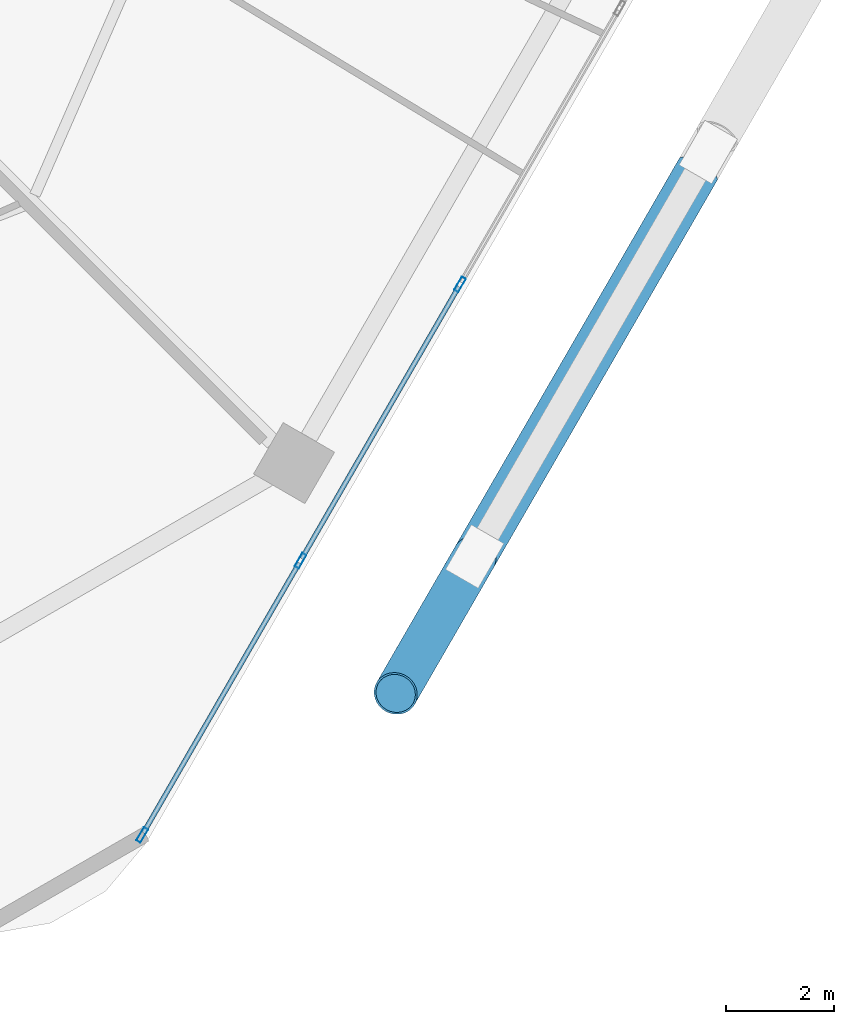
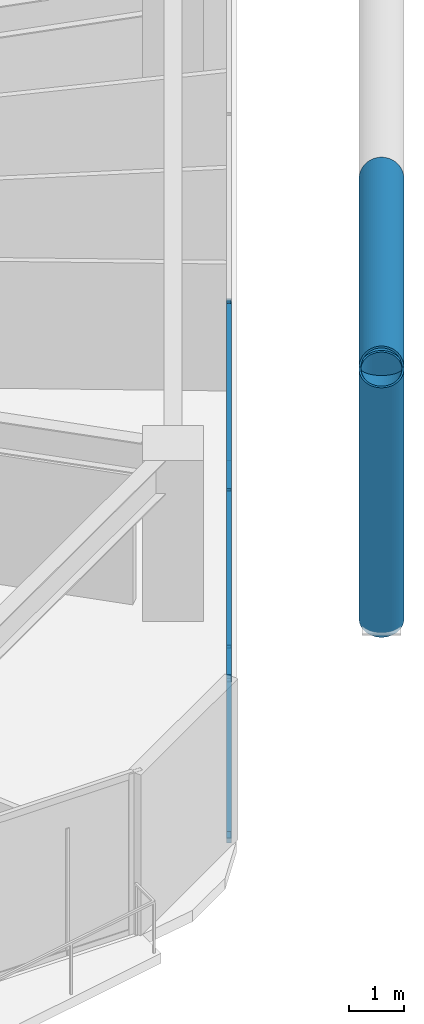
# One storey, part 9 of 35: 9 members, 1 element without a shape of its own.
"""IFC4 building model written with IfcOpenShell, lengths in metres."""

from ifc_helpers import new_model, si_unit, direction, frame, origin, origin_2d, place, context, subcontext, project, spatial, hollow_rectangle, hollow_circle, extrude, material, material_profile, profile_set, type_object, element, aggregate, save


model = new_model("IFC4")

# Units and contexts
model_context = context("Model", 3, precision=1e-05, world=origin(), true_north=direction((0.0, 1.0)))
body_context = subcontext(model_context, "Body", "Model", "MODEL_VIEW")
ifc_project = project(units=[si_unit("LENGTHUNIT", "METRE"), si_unit("AREAUNIT", "SQUARE_METRE"), si_unit("VOLUMEUNIT", "CUBIC_METRE"), si_unit("PLANEANGLEUNIT", "RADIAN"), si_unit("MASSUNIT", "GRAM", prefix="KILO")], contexts=[model_context])

# Site, building, storey
site_placement = place(None, origin())
site = spatial("IfcSite", under=ifc_project, at=site_placement, CompositionType="ELEMENT")
building_placement = place(site_placement, origin())
building = spatial("IfcBuilding", under=site, at=building_placement, Name="Zuhravey Tower", CompositionType="ELEMENT")
storey_placement = place(building_placement, frame((0.0, 0.0, 115.199951171875)))
storey = spatial("IfcBuildingStorey", under=building, at=storey_placement, Name="L28", CompositionType="ELEMENT", Elevation=115.199951171875)

# Curtain wall, members
ifc_material_1 = material(Name="Thermally broken anodised aluminium", Category="aluminium")
curtain_wall_type = type_object("IfcCurtainWallType", Name="Zone 1-2 Residential Curtain Wall CW3", PredefinedType="NOTDEFINED", material=ifc_material_1)
curtain_wall_placement = place(storey_placement, origin())
curtain_wall = element("IfcCurtainWall", 1, at=curtain_wall_placement, inside=storey, type_object=curtain_wall_type, Name="L28 CW3 CW-L28-F6-1", PredefinedType="NOTDEFINED")
ifc_material_2 = material(Name="Anodised aluminium", Category="aluminium")
ifc_material_profile_1 = material_profile(ifc_material_2, hollow_rectangle(XDim=0.090087890625, YDim=0.284912109375, WallThickness=0.0048828125, at=origin_2d()), Name="ALU-RHS-90x285x5")
ifc_profile_set_1 = profile_set([ifc_material_profile_1], Name="Anodised aluminium")
member_type_1 = type_object("IfcMemberType", Name="Curtain-Wall Mullion 90x180", PredefinedType="MULLION", material=ifc_profile_set_1)
member_1_placement = place(storey_placement, frame((59.598876953125, 14.95751953125, 0.0), z_axis=(0.0, 0.0, 1.0), x_axis=(0.86602552265, -0.499999794119, 0.0)))
member_1 = element("IfcMember", 2, at=member_1_placement, type_object=member_type_1, Name="CW3 mullion 4", PredefinedType="MULLION", context=body_context, shape_type="SweptSolid", body=[
    extrude(hollow_rectangle(XDim=0.090087890625, YDim=0.284912109375, WallThickness=0.0048828125, at=origin_2d()), origin(), (0.0, 0.0, 1.0), 3.550048828125),
])
member_2_placement = place(storey_placement, frame((56.638916015625, 9.830810546875, 0.0), z_axis=(0.0, 0.0, 1.0), x_axis=(0.86602552265, -0.499999794119, 0.0)))
member_2 = element("IfcMember", 3, at=member_2_placement, type_object=member_type_1, Name="CW3 mullion 5", PredefinedType="MULLION", context=body_context, shape_type="SweptSolid", body=[
    extrude(hollow_rectangle(XDim=0.090087890625, YDim=0.284912109375, WallThickness=0.0048828125, at=origin_2d()), origin(), (0.0, 0.0, 1.0), 3.550048828125),
])
member_3_placement = place(storey_placement, frame((53.701416015625, 4.742919921875, 0.0), z_axis=(0.0, 0.0, 1.0), x_axis=(0.86602552265, -0.499999794119, 0.0)))
member_3 = element("IfcMember", 4, at=member_3_placement, type_object=member_type_1, Name="CW3 mullion 6", PredefinedType="MULLION", context=body_context, shape_type="SweptSolid", body=[
    extrude(hollow_rectangle(XDim=0.090087890625, YDim=0.284912109375, WallThickness=0.0048828125, at=origin_2d()), origin(), (0.0, 0.0, 1.0), 3.550048828125),
])
ifc_material_profile_2 = material_profile(ifc_material_2, hollow_rectangle(XDim=0.090087890625, YDim=0.14990234375, WallThickness=0.0048828125, at=origin_2d()), Name="ALU-RHS-90x150x5")
ifc_profile_set_2 = profile_set([ifc_material_profile_2], Name="Anodised aluminium")
member_type_2 = type_object("IfcMemberType", Name="Curtain-Wall Transom 90x150", PredefinedType="USERDEFINED", material=ifc_profile_set_2)
member_4_placement = place(storey_placement, frame((59.576416015625, 14.91845703125, 0.045166015625), z_axis=(-0.500012451049, -0.866018215049, 0.0), x_axis=(0.866018215049, -0.500012451049, 0.0)))
member_4 = element("IfcMember", 5, at=member_4_placement, type_object=member_type_2, Name="CW3 transom 4.1", ObjectType="TRANSOM", PredefinedType="USERDEFINED", context=body_context, shape_type="SweptSolid", body=[
    extrude(hollow_rectangle(XDim=0.090087890625, YDim=0.14990234375, WallThickness=0.0048828125, at=origin_2d()), origin(), (0.0, 0.0, 1.0), 5.829833984375),
])
member_5_placement = place(storey_placement, frame((59.576416015625, 14.91845703125, 3.505126953125), z_axis=(-0.500012451049, -0.866018215049, 0.0), x_axis=(0.866018215049, -0.500012451049, 0.0)))
member_5 = element("IfcMember", 6, at=member_5_placement, type_object=member_type_2, Name="CW3 transom 4.2", ObjectType="TRANSOM", PredefinedType="USERDEFINED", context=body_context, shape_type="SweptSolid", body=[
    extrude(hollow_rectangle(XDim=0.090087890625, YDim=0.14990234375, WallThickness=0.0048828125, at=origin_2d()), origin(), (0.0, 0.0, 1.0), 5.829833984375),
])
member_6_placement = place(storey_placement, frame((56.616455078125, 9.791748046875, 0.045166015625), z_axis=(-0.499992798144, -0.866029561738, 0.0), x_axis=(0.866029561738, -0.499992798144, 0.0)))
member_6 = element("IfcMember", 7, at=member_6_placement, type_object=member_type_2, Name="CW3 transom 5.1", ObjectType="TRANSOM", PredefinedType="USERDEFINED", context=body_context, shape_type="SweptSolid", body=[
    extrude(hollow_rectangle(XDim=0.090087890625, YDim=0.14990234375, WallThickness=0.0048828125, at=origin_2d()), origin(), (0.0, 0.0, 1.0), 5.78466796875),
])
member_7_placement = place(storey_placement, frame((56.616455078125, 9.791748046875, 3.505126953125), z_axis=(-0.499992798144, -0.866029561738, 0.0), x_axis=(0.866029561738, -0.499992798144, 0.0)))
member_7 = element("IfcMember", 8, at=member_7_placement, type_object=member_type_2, Name="CW3 transom 5.2", ObjectType="TRANSOM", PredefinedType="USERDEFINED", context=body_context, shape_type="SweptSolid", body=[
    extrude(hollow_rectangle(XDim=0.090087890625, YDim=0.14990234375, WallThickness=0.0048828125, at=origin_2d()), origin(), (0.0, 0.0, 1.0), 5.78466796875),
])
aggregate(curtain_wall, [member_1, member_2, member_3, member_4, member_5, member_6, member_7])

# Members
ifc_material_3 = material(Name="Steel SM460", Category="steel")
ifc_material_profile_3 = material_profile(ifc_material_3, hollow_circle(Radius=0.406494140625, WallThickness=0.035888671875, at=origin_2d()), Name="CHS-812.8x36")
ifc_profile_set_3 = profile_set([ifc_material_profile_3], Name="Steel SM460")
member_type_3 = type_object("IfcMemberType", Name="Exoskeleton Zone 1 Diagrid CHS813x36", PredefinedType="BRACE", material=ifc_profile_set_3)
member_8_placement = place(storey_placement, frame((59.867919921875, 9.9033203125, -0.44189453125), z_axis=(-0.180574288521, -0.312728273078, 0.932520216158), x_axis=(0.866000778371, -0.500042650041, 0.0)))
element("IfcMember", 9, at=member_8_placement, inside=storey, type_object=member_type_3, Name="L28 Face 6 Diagrid Brace 1", PredefinedType="BRACE", context=body_context, shape_type="SweptSolid", body=[
    extrude(hollow_circle(Radius=0.406494140625, WallThickness=0.035888671875, at=origin_2d()), origin(), (0.0, 0.0, 1.0), 8.102783203125),
])
member_9_placement = place(storey_placement, frame((64.016357421875, 17.0888671875, 3.45947265625), z_axis=(-0.475191097731, -0.823054392152, 0.311086624908), x_axis=(0.866025211119, -0.500000333706, 0.0)))
element("IfcMember", 10, at=member_9_placement, inside=storey, type_object=member_type_3, Name="L28 Face 6 Split Diagrid Brace 3B", PredefinedType="BRACE", context=body_context, shape_type="SweptSolid", body=[
    extrude(hollow_circle(Radius=0.406494140625, WallThickness=0.035888671875, at=origin_2d()), origin(), (0.0, 0.0, 1.0), 11.763427734375),
])

save(model, "model.ifc")
